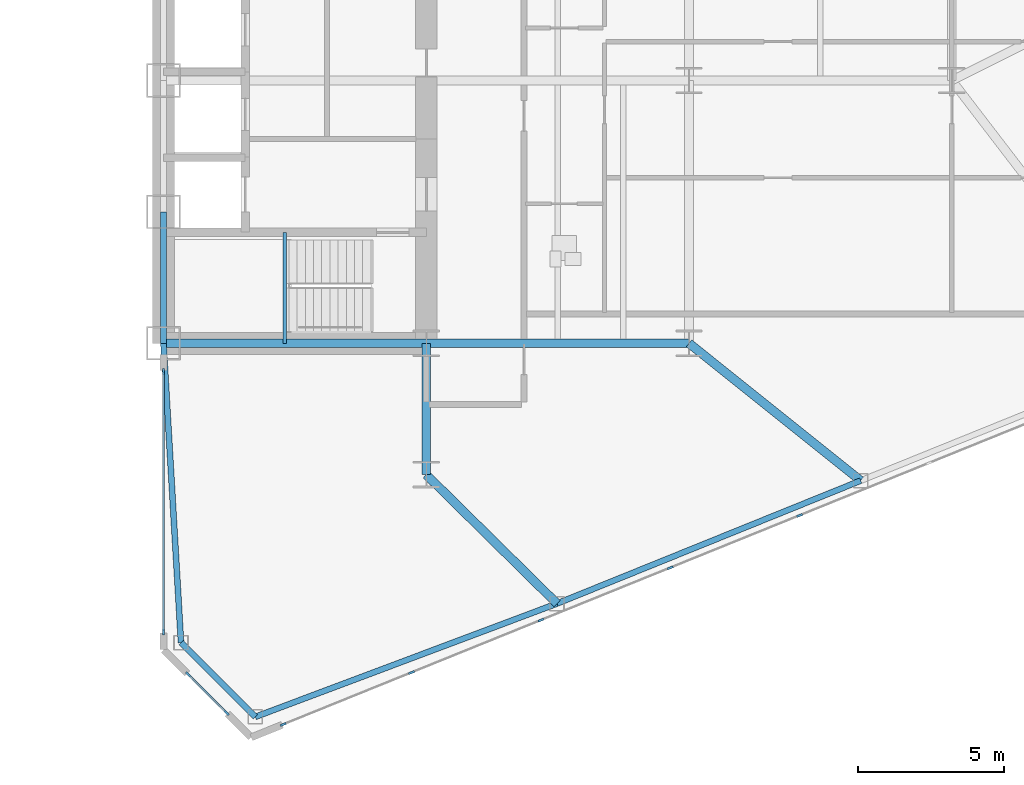
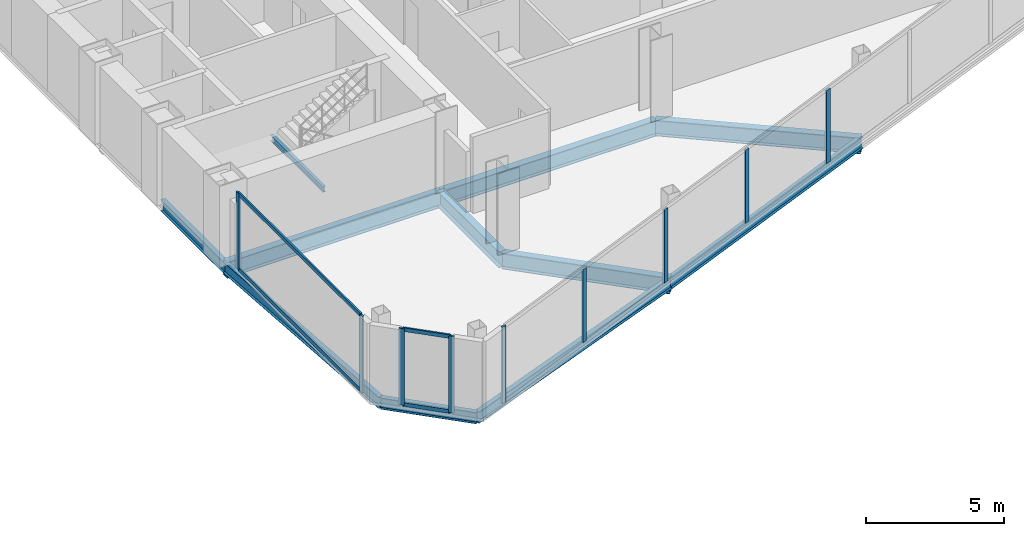
# One storey, part 9 of 25: 13 members, 11 beams, 3 elements without a shape of their own.
"""IFC4 building model written with IfcOpenShell, lengths in metres."""

import ifcopenshell
import ifcopenshell.guid

model = None  # the IFC model being written
_history = None  # IfcOwnerHistory: only IFC2X3 demands one
_inside = {}  # id of a spatial element -> (the spatial element, [elements in it])
_under = {}  # id of a project, library or spatial element -> (it, [spatial elements below it])
_declared = {}  # id of a project -> (the project, [libraries it declares])
_typed = {}  # id of a type object -> (the type object, [elements of that type])
_made_of = {}  # id of a material, layer set ... -> (it, [elements and type objects made of it])


def new_model(schema):
    """Start an empty IFC model of exactly this schema.

    Asked for "IFC4X3", IfcOpenShell would pick the latest addendum, in which some entities
    have other attributes; the version numbers below select the first issue.
    IFC2X3 requires an IfcOwnerHistory on every rooted entity: one is made here for all.
    """
    global model, _history
    if schema == "IFC4X3":
        model = ifcopenshell.file(schema_version=(4, 3, 0, 0))
    else:
        model = ifcopenshell.file(schema=schema)
    _inside.clear()
    _under.clear()
    _declared.clear()
    _typed.clear()
    _made_of.clear()
    _history = None
    if model.schema == "IFC2X3":
        org = make("IfcOrganization", Name="unknown")
        user = make(
            "IfcPersonAndOrganization",
            ThePerson=make("IfcPerson", FamilyName="unknown"),
            TheOrganization=org,
        )
        app = make(
            "IfcApplication",
            ApplicationDeveloper=org,
            Version="unknown",
            ApplicationFullName="unknown",
            ApplicationIdentifier="unknown",
        )
        _history = make(
            "IfcOwnerHistory",
            OwningUser=user,
            OwningApplication=app,
            ChangeAction="ADDED",
            CreationDate=0,
        )
    return model


def make(cls, **values):
    """One entity of the class cls with the attributes given. An attribute that is None is left unset."""
    return model.create_entity(
        cls, **{name: value for name, value in values.items() if value is not None}
    )


def rooted(cls, **values):
    """An entity with a GlobalId (a new one), such as an element, a storey or a relation."""
    return make(cls, GlobalId=ifcopenshell.guid.new(), OwnerHistory=_history, **values)


def si_unit(unit_type, name, prefix=None):
    """IfcSIUnit, for example si_unit("LENGTHUNIT", "METRE", prefix="MILLI")."""
    return make("IfcSIUnit", UnitType=unit_type, Prefix=prefix, Name=name)


def assignment(units):
    """IfcUnitAssignment: the units of a project."""
    return None if units is None else make("IfcUnitAssignment", Units=units)


def point(xyz):
    """IfcCartesianPoint."""
    return None if xyz is None else make("IfcCartesianPoint", Coordinates=xyz)


def direction(xyz):
    """IfcDirection."""
    return None if xyz is None else make("IfcDirection", DirectionRatios=xyz)


def frame(location, z_axis=None, x_axis=None):
    """IfcAxis2Placement3D, a coordinate frame: its origin and axes. An axis left out is left unset."""
    return make(
        "IfcAxis2Placement3D",
        Location=point(location),
        Axis=direction(z_axis),
        RefDirection=direction(x_axis),
    )


def frame_2d(location, x_axis=None):
    """IfcAxis2Placement2D, a coordinate frame in the plane: its origin and x axis."""
    return make(
        "IfcAxis2Placement2D", Location=point(location), RefDirection=direction(x_axis)
    )


def origin():
    """The frame at (0, 0, 0) with its axes left unset."""
    return frame((0.0, 0.0, 0.0))


def origin_2d():
    """The frame at (0, 0) in the plane with its x axis left unset."""
    return frame_2d((0.0, 0.0))


def place(relative_to, where):
    """IfcLocalPlacement: puts the frame where relative to a parent placement (None: the world)."""
    return make(
        "IfcLocalPlacement", PlacementRelTo=relative_to, RelativePlacement=where
    )


def context(
    kind, dimensions, precision=None, world=None, true_north=None, identifier=None
):
    """IfcGeometricRepresentationContext, for example the 3D "Model" context."""
    return make(
        "IfcGeometricRepresentationContext",
        ContextIdentifier=identifier,
        ContextType=kind,
        CoordinateSpaceDimension=dimensions,
        Precision=precision,
        WorldCoordinateSystem=world,
        TrueNorth=true_north,
    )


def subcontext(parent, identifier, kind, view, scale=None):
    """IfcGeometricRepresentationSubContext, for example "Body" below "Model"."""
    return make(
        "IfcGeometricRepresentationSubContext",
        ContextIdentifier=identifier,
        ContextType=kind,
        ParentContext=parent,
        TargetScale=scale,
        TargetView=view,
    )


def project(units=None, contexts=None):
    """IfcProject with its units and contexts."""
    return rooted(
        "IfcProject",
        Name="project",
        RepresentationContexts=contexts,
        UnitsInContext=assignment(units),
    )


def spatial(cls, under=None, at=None, **own):
    """A site, building, storey or space (cls), placed at a placement, below another one or the project."""
    s = rooted(cls, ObjectPlacement=at, **own)
    if under is not None:
        _under.setdefault(under.id(), (under, []))[1].append(s)
    return s


def profile(cls, at=None, kind="AREA", **sizes):
    """A parametric profile (cls). Its sizes go by their IFC names, for example OverallWidth=200.0."""
    return make(cls, ProfileType=kind, Position=at, **sizes)


def rectangle(**sizes):
    """IfcRectangleProfileDef."""
    return profile("IfcRectangleProfileDef", **sizes)


def i_section(**sizes):
    """IfcIShapeProfileDef."""
    return profile("IfcIShapeProfileDef", **sizes)


def extrude(swept, where, along, depth):
    """IfcExtrudedAreaSolid: the profile swept, set in the frame where, extruded along a direction by depth."""
    return make(
        "IfcExtrudedAreaSolid",
        SweptArea=swept,
        Position=where,
        ExtrudedDirection=direction(along),
        Depth=depth,
    )


def shape(context_of_items, identifier, shape_type, items):
    """IfcShapeRepresentation: the items that make up one representation, for example the "Body"."""
    return make(
        "IfcShapeRepresentation",
        ContextOfItems=context_of_items,
        RepresentationIdentifier=identifier,
        RepresentationType=shape_type,
        Items=items,
    )


def source(mapping_origin, context_of_items, identifier, shape_type, items):
    """IfcRepresentationMap: a shape defined once, which mapped items show again and again."""
    return make(
        "IfcRepresentationMap",
        MappingOrigin=mapping_origin,
        MappedRepresentation=shape(context_of_items, identifier, shape_type, items),
    )


def transform(
    local_origin,
    x_axis=None,
    y_axis=None,
    z_axis=None,
    scale=None,
    scale2=None,
    scale3=None,
    uniform=True,
):
    """IfcCartesianTransformationOperator3D, or its non-uniform kind. x_axis, y_axis, z_axis: its Axis1, 2, 3."""
    if uniform:
        return make(
            "IfcCartesianTransformationOperator3D",
            Axis1=direction(x_axis),
            Axis2=direction(y_axis),
            LocalOrigin=point(local_origin),
            Scale=scale,
            Axis3=direction(z_axis),
        )
    return make(
        "IfcCartesianTransformationOperator3DnonUniform",
        Axis1=direction(x_axis),
        Axis2=direction(y_axis),
        LocalOrigin=point(local_origin),
        Scale=scale,
        Axis3=direction(z_axis),
        Scale2=scale2,
        Scale3=scale3,
    )


def mapped(mapping_source, mapping_target):
    """IfcMappedItem: shows the shape of a source again, moved by a transform."""
    return make(
        "IfcMappedItem", MappingSource=mapping_source, MappingTarget=mapping_target
    )


def material(Name=None, Category=None):
    """IfcMaterial."""
    return make("IfcMaterial", Name=Name, Category=Category)


def layer(
    of_material, thickness, ventilated=None, Name=None, Category=None, Priority=None
):
    """IfcMaterialLayer: one layer of a wall or slab, of a material (None: an air gap)."""
    return make(
        "IfcMaterialLayer",
        Material=of_material,
        LayerThickness=thickness,
        IsVentilated=ventilated,
        Name=Name,
        Category=Category,
        Priority=Priority,
    )


def layer_set(layers, Name=None):
    """IfcMaterialLayerSet."""
    return make("IfcMaterialLayerSet", MaterialLayers=layers, LayerSetName=Name)


def material_profile(
    of_material, cross_section, Name=None, Category=None, Priority=None
):
    """IfcMaterialProfile: a cross section and its material."""
    return make(
        "IfcMaterialProfile",
        Name=Name,
        Material=of_material,
        Profile=cross_section,
        Priority=Priority,
        Category=Category,
    )


def profile_set(profiles, Name=None, composite=None):
    """IfcMaterialProfileSet."""
    return make(
        "IfcMaterialProfileSet",
        Name=Name,
        MaterialProfiles=profiles,
        CompositeProfile=composite,
    )


def made_of(thing, what):
    """Note that an element or type object is made of a material, layer set ...; save() writes the relation."""
    if what is not None:
        _made_of.setdefault(what.id(), (what, []))[1].append(thing)
    return thing


def type_object(cls, material=None, **own):
    """A type object (cls), such as IfcWallType, which elements share."""
    return made_of(rooted(cls, **own), material)


def type_shapes(of_type, sources):
    """Give a type object the sources (RepresentationMaps) that its elements show as mapped items."""
    of_type.RepresentationMaps = sources


def element(
    cls,
    number,
    at=None,
    inside=None,
    cuts=None,
    type_object=None,
    material=None,
    context=None,
    identifier="Body",
    shape_type=None,
    held_by="IfcProductDefinitionShape",
    body=None,
    shapes=None,
    **own,
):
    """One element of the class cls, such as IfcWall. Its Tag is "e" and its number.

    at: its placement. inside: the storey or other place that contains it. cuts: it is an
    opening in that element (IfcRelVoidsElement). A single representation is given by context,
    identifier, shape_type and body (its items); several are given by shapes. held_by: the class
    of the entity that holds the representations. save() writes the other relations.
    """
    e = rooted(cls, Tag="e%d" % number, ObjectPlacement=at, **own)
    if body is not None:
        shapes = [shape(context, identifier, shape_type, body)]
    if shapes is not None:
        e.Representation = make(held_by, Representations=shapes)
    if inside is not None:
        _inside.setdefault(inside.id(), (inside, []))[1].append(e)
    if cuts is not None:
        rooted(
            "IfcRelVoidsElement", RelatingBuildingElement=cuts, RelatedOpeningElement=e
        )
    if type_object is not None:
        _typed.setdefault(type_object.id(), (type_object, []))[1].append(e)
    return made_of(e, material)


def aggregate(whole, parts):
    """IfcRelAggregates: a whole, such as a stair, and the parts it consists of."""
    return rooted("IfcRelAggregates", RelatingObject=whole, RelatedObjects=parts)


def save(model, path):
    """Write the relations noted so far, then the file.

    IfcRelAggregates (storeys below a building ...), IfcRelContainedInSpatialStructure (elements
    in a storey), IfcRelDefinesByType, IfcRelAssociatesMaterial and IfcRelDeclares: one each for
    every whole, place, type object, material and project.
    """
    for whole, parts in _under.values():
        aggregate(whole, parts)
    for where, things in _inside.values():
        rooted(
            "IfcRelContainedInSpatialStructure",
            RelatedElements=things,
            RelatingStructure=where,
        )
    for kind, things in _typed.values():
        rooted("IfcRelDefinesByType", RelatedObjects=things, RelatingType=kind)
    for what, things in _made_of.values():
        rooted("IfcRelAssociatesMaterial", RelatedObjects=things, RelatingMaterial=what)
    for by, libraries in _declared.values():
        rooted("IfcRelDeclares", RelatingContext=by, RelatedDefinitions=libraries)
    model.write(path)


model = new_model("IFC4")

# Units and contexts
model_context = context("Model", 3, precision=1e-05, world=origin(), true_north=direction((0.0, 1.0)))
body_context = subcontext(model_context, "Body", "Model", "MODEL_VIEW")
ifc_project = project(units=[si_unit("LENGTHUNIT", "METRE"), si_unit("AREAUNIT", "SQUARE_METRE"), si_unit("VOLUMEUNIT", "CUBIC_METRE"), si_unit("PLANEANGLEUNIT", "RADIAN"), si_unit("MASSUNIT", "GRAM", prefix="KILO")], contexts=[model_context])

# Site, building, storey
site_placement = place(None, origin())
site = spatial("IfcSite", under=ifc_project, at=site_placement, CompositionType="ELEMENT")
building_placement = place(site_placement, origin())
building = spatial("IfcBuilding", under=site, at=building_placement, Name="Seokmaru Belvedere", CompositionType="ELEMENT")
storey_placement = place(building_placement, frame((0.0, 0.0, 44.10009765625)))
storey = spatial("IfcBuildingStorey", under=building, at=storey_placement, Name="L11", CompositionType="ELEMENT", Elevation=44.10009765625)

# Beams
ifc_material_1 = material(Name="Steel SM355 (355 MPa)", Category="steel")
ifc_material_profile_1 = material_profile(ifc_material_1, i_section(OverallWidth=0.199951171875, OverallDepth=0.5, WebThickness=0.010009765625, FlangeThickness=0.01611328125, at=origin_2d()), Name="H-500x200x10x16")
ifc_profile_set_1 = profile_set([ifc_material_profile_1], Name="Steel SM355 (355 MPa)")
beam_type_1 = type_object("IfcBeamType", Name="Perimeter Spandrel Beam H-500", PredefinedType="SPANDREL", material=ifc_profile_set_1)
shared_shape_1 = source(origin(), body_context, "Body", "SweptSolid", [
    extrude(i_section(OverallWidth=0.199951171875, OverallDepth=0.5, WebThickness=0.010009765625, FlangeThickness=0.01611328125, at=origin_2d()), origin(), (0.0, 0.0, 1.0), 4.5),
])
beam_1_placement = place(storey_placement, frame((27.5, -13.5, -0.47021484375), z_axis=(0.0, 1.0, 0.0), x_axis=(-1.0, 0.0, 0.0)))
element("IfcBeam", 1, at=beam_1_placement, inside=storey, type_object=beam_type_1, Name="L11 E Portal Spine Spandrel 1", PredefinedType="SPANDREL", context=body_context, shape_type="MappedRepresentation", body=[
    mapped(shared_shape_1, transform((0.0, 0.0, 0.0), scale=1.0)),
])
ifc_material_profile_2 = material_profile(ifc_material_1, i_section(OverallWidth=0.300048828125, OverallDepth=0.699951171875, WebThickness=0.012939453125, FlangeThickness=0.02392578125, at=origin_2d()), Name="H-700x300x13x24")
ifc_profile_set_2 = profile_set([ifc_material_profile_2], Name="Steel SM355 (355 MPa)")
beam_type_2 = type_object("IfcBeamType", Name="Primary Floor Girder H-700", PredefinedType="BEAM", material=ifc_profile_set_2)
shared_shape_2 = source(origin(), body_context, "Body", "SweptSolid", [
    extrude(i_section(OverallWidth=0.300048828125, OverallDepth=0.699951171875, WebThickness=0.012939453125, FlangeThickness=0.02392578125, at=origin_2d()), origin(), (0.0, 0.0, 1.0), 4.5),
])
beam_2_placement = place(storey_placement, frame((36.5, -18.0, -0.570068359375), z_axis=(0.0, 1.0, 0.0), x_axis=(-1.0, 0.0, 0.0)))
element("IfcBeam", 2, at=beam_2_placement, inside=storey, type_object=beam_type_2, Name="L11 E Core Shoulder Girder S", PredefinedType="BEAM", context=body_context, shape_type="MappedRepresentation", body=[
    mapped(shared_shape_2, transform((0.0, 0.0, 0.0), scale=1.0)),
])
shared_shape_3 = source(origin(), body_context, "Body", "SweptSolid", [
    extrude(i_section(OverallWidth=0.300048828125, OverallDepth=0.699951171875, WebThickness=0.012939453125, FlangeThickness=0.02392578125, at=origin_2d()), origin(), (0.0, 0.0, 1.0), 9.0),
])
for number, where, z_axis, x_axis, name in (
    (3, (27.5, -13.5, -0.570068359375), (1.0, 0.0, 0.0), (0.0, 1.0, 0.0), "L11 E Core Tie Girder 1"),
    (4, (36.5, -13.5, -0.570068359375), (1.0, 0.0, 0.0), (0.0, 1.0, 0.0), "L11 E Wing Primary Girder 1"),
):
    element("IfcBeam", number, at=place(storey_placement, frame(where, z_axis=z_axis, x_axis=x_axis)), inside=storey, type_object=beam_type_2, Name=name, PredefinedType="BEAM", context=body_context, shape_type="MappedRepresentation", body=[
        mapped(shared_shape_3, transform((0.0, 0.0, 0.0), scale=1.0)),
    ])
shared_shape_4 = source(origin(), body_context, "Body", "SweptSolid", [
    extrude(i_section(OverallWidth=0.199951171875, OverallDepth=0.5, WebThickness=0.010009765625, FlangeThickness=0.01611328125, at=origin_2d()), origin(), (0.0, 0.0, 1.0), 11.03857421875),
])
beam_3_placement = place(storey_placement, frame((30.643310546875, -26.294677734375, -0.47021484375), z_axis=(0.936169110734, 0.351549990907, 0.0), x_axis=(-0.351549990907, 0.936169110734, 0.0)))
element("IfcBeam", 5, at=beam_3_placement, inside=storey, type_object=beam_type_1, Name="L11 E Faceted Flank Spandrel S-1", PredefinedType="SPANDREL", context=body_context, shape_type="MappedRepresentation", body=[
    mapped(shared_shape_4, transform((0.0, 0.0, 0.0), scale=1.0)),
])
shared_shape_5 = source(origin(), body_context, "Body", "SweptSolid", [
    extrude(i_section(OverallWidth=0.199951171875, OverallDepth=0.5, WebThickness=0.010009765625, FlangeThickness=0.01611328125, at=origin_2d()), origin(), (0.0, 0.0, 1.0), 11.220703125),
])
beam_4_placement = place(storey_placement, frame((40.977294921875, -22.4140625, -0.47021484375), z_axis=(0.926944290816, 0.375198989503, 0.0), x_axis=(-0.375198989503, 0.926944290816, 0.0)))
element("IfcBeam", 6, at=beam_4_placement, inside=storey, type_object=beam_type_1, Name="L11 E Faceted Flank Spandrel S-2", PredefinedType="SPANDREL", context=body_context, shape_type="MappedRepresentation", body=[
    mapped(shared_shape_5, transform((0.0, 0.0, 0.0), scale=1.0)),
])
shared_shape_6 = source(origin(), body_context, "Body", "SweptSolid", [
    extrude(i_section(OverallWidth=0.199951171875, OverallDepth=0.5, WebThickness=0.010009765625, FlangeThickness=0.01611328125, at=origin_2d()), origin(), (0.0, 0.0, 1.0), 3.5966796875),
])
beam_5_placement = place(storey_placement, frame((30.643310546875, -26.294677734375, -0.47021484375), z_axis=(-0.707106781187, 0.707106781187, 0.0), x_axis=(-0.707106781187, -0.707106781187, 0.0)))
element("IfcBeam", 7, at=beam_5_placement, inside=storey, type_object=beam_type_1, Name="L11 E Shoulder Chamfer Spandrel S", PredefinedType="SPANDREL", context=body_context, shape_type="MappedRepresentation", body=[
    mapped(shared_shape_6, transform((0.0, 0.0, 0.0), scale=1.0)),
])
shared_shape_7 = source(origin(), body_context, "Body", "SweptSolid", [
    extrude(i_section(OverallWidth=0.199951171875, OverallDepth=0.5, WebThickness=0.010009765625, FlangeThickness=0.01611328125, at=origin_2d()), origin(), (0.0, 0.0, 1.0), 10.26904296875),
])
type_shapes(beam_type_1, [shared_shape_1, shared_shape_4, shared_shape_5, shared_shape_6, shared_shape_7])
beam_6_placement = place(storey_placement, frame((28.10009765625, -23.75146484375, -0.47021484375), z_axis=(-0.058437709399, 0.998291056817, 0.0), x_axis=(-0.998291056817, -0.058437709399, 0.0)))
element("IfcBeam", 8, at=beam_6_placement, inside=storey, type_object=beam_type_1, Name="L11 E Shoulder Spine Spandrel S", PredefinedType="SPANDREL", context=body_context, shape_type="MappedRepresentation", body=[
    mapped(shared_shape_7, transform((0.0, 0.0, 0.0), scale=1.0)),
])
shared_shape_8 = source(origin(), body_context, "Body", "SweptSolid", [
    extrude(i_section(OverallWidth=0.300048828125, OverallDepth=0.699951171875, WebThickness=0.012939453125, FlangeThickness=0.02392578125, at=origin_2d()), origin(), (0.0, 0.0, 1.0), 6.287353515625),
])
beam_7_placement = place(storey_placement, frame((40.977294921875, -22.4140625, -0.570068359375), z_axis=(-0.712117485263, 0.702060315915, 0.0), x_axis=(-0.702060315915, -0.712117485263, 0.0)))
element("IfcBeam", 9, at=beam_7_placement, inside=storey, type_object=beam_type_2, Name="L11 E Flank Radial Floor Girder S-1", PredefinedType="BEAM", context=body_context, shape_type="MappedRepresentation", body=[
    mapped(shared_shape_8, transform((0.0, 0.0, 0.0), scale=1.0)),
])
shared_shape_9 = source(origin(), body_context, "Body", "SweptSolid", [
    extrude(i_section(OverallWidth=0.300048828125, OverallDepth=0.699951171875, WebThickness=0.012939453125, FlangeThickness=0.02392578125, at=origin_2d()), origin(), (0.0, 0.0, 1.0), 7.52880859375),
])
type_shapes(beam_type_2, [shared_shape_2, shared_shape_3, shared_shape_8, shared_shape_9])
beam_8_placement = place(storey_placement, frame((51.378173828125, -18.2041015625, -0.570068359375), z_axis=(-0.780767560736, 0.624821587418, 0.0), x_axis=(-0.624821587418, -0.780767560736, 0.0)))
element("IfcBeam", 10, at=beam_8_placement, inside=storey, type_object=beam_type_2, Name="L11 E Flank Radial Floor Girder S-2", PredefinedType="BEAM", context=body_context, shape_type="MappedRepresentation", body=[
    mapped(shared_shape_9, transform((0.0, 0.0, 0.0), scale=1.0)),
])

# Curtain wall, members
ifc_material_2 = material(Name="Bronze Triple Insulating Glass", Category="glass")
ifc_layer = layer(ifc_material_2, 0.2099609375)
ifc_layer_set = layer_set([ifc_layer], Name="Bronze Triple Insulating Glass")
curtain_wall_type = type_object("IfcCurtainWallType", Name="Low-Rise Faceted Crystal Curtain Wall System CW-2", PredefinedType="NOTDEFINED", material=ifc_layer_set)
curtain_wall_1_placement = place(storey_placement, origin())
curtain_wall_1 = element("IfcCurtainWall", 11, at=curtain_wall_1_placement, inside=storey, type_object=curtain_wall_type, Name="L11 Curtain Wall ESP_1", PredefinedType="NOTDEFINED")
ifc_material_3 = material(Name="Anodised Bronze Aluminium", Category="aluminium")
ifc_material_profile_3 = material_profile(ifc_material_3, rectangle(XDim=0.070068359375, YDim=0.1650390625, at=origin_2d()), Name="CW-T-70x165")
ifc_profile_set_3 = profile_set([ifc_material_profile_3], Name="Anodised Bronze Aluminium")
member_type_1 = type_object("IfcMemberType", Name="Bronze Unitised Transom 70x165", PredefinedType="USERDEFINED", material=ifc_profile_set_3)
shared_shape_10 = source(origin(), body_context, "Body", "SweptSolid", [
    extrude(rectangle(XDim=0.070068359375, YDim=0.1650390625, at=origin_2d()), origin(), (0.0, 0.0, 1.0), 8.85009765625),
])
member_1_placement = place(storey_placement, frame((27.5, -14.5048828125, 0.034912109375), z_axis=(0.0, -1.0, 0.0), x_axis=(1.0, 0.0, 0.0)))
member_1 = element("IfcMember", 12, at=member_1_placement, type_object=member_type_1, Name="CW:L11:ESP_1 Continuous Transom 1", ObjectType="TRANSOM", PredefinedType="USERDEFINED", context=body_context, shape_type="MappedRepresentation", body=[
    mapped(shared_shape_10, transform((0.0, 0.0, 0.0), scale=1.0)),
])
member_2_placement = place(storey_placement, frame((27.5, -14.5048828125, 3.344970703125), z_axis=(0.0, -1.0, 0.0), x_axis=(1.0, 0.0, 0.0)))
member_2 = element("IfcMember", 13, at=member_2_placement, type_object=member_type_1, Name="CW:L11:ESP_1 Continuous Transom 2", ObjectType="TRANSOM", PredefinedType="USERDEFINED", context=body_context, shape_type="MappedRepresentation", body=[
    mapped(shared_shape_10, transform((0.0, 0.0, 0.0), scale=1.0)),
])

curtain_wall_2_placement = place(storey_placement, origin())
curtain_wall_2 = element("IfcCurtainWall", 14, at=curtain_wall_2_placement, inside=storey, type_object=curtain_wall_type, Name="L11 Curtain Wall EF6", PredefinedType="NOTDEFINED")
shared_shape_11 = source(origin(), body_context, "Body", "SweptSolid", [
    extrude(rectangle(XDim=0.070068359375, YDim=0.1650390625, at=origin_2d()), origin(), (0.0, 0.0, 1.0), 1.792724609375),
])
type_shapes(member_type_1, [shared_shape_10, shared_shape_11])
member_3_placement = place(storey_placement, frame((28.3662109375, -24.8662109375, 0.034912109375), z_axis=(0.707106781187, -0.707106781187, 0.0), x_axis=(0.707106781187, 0.707106781187, 0.0)))
member_3 = element("IfcMember", 15, at=member_3_placement, type_object=member_type_1, Name="CW:L11:EF6 Continuous Transom 1", ObjectType="TRANSOM", PredefinedType="USERDEFINED", context=body_context, shape_type="MappedRepresentation", body=[
    mapped(shared_shape_11, transform((0.0, 0.0, 0.0), scale=1.0)),
])
member_4_placement = place(storey_placement, frame((28.3662109375, -24.8662109375, 3.344970703125), z_axis=(0.707106781187, -0.707106781187, 0.0), x_axis=(0.707106781187, 0.707106781187, 0.0)))
member_4 = element("IfcMember", 16, at=member_4_placement, type_object=member_type_1, Name="CW:L11:EF6 Continuous Transom 2", ObjectType="TRANSOM", PredefinedType="USERDEFINED", context=body_context, shape_type="MappedRepresentation", body=[
    mapped(shared_shape_11, transform((0.0, 0.0, 0.0), scale=1.0)),
])

curtain_wall_3_placement = place(storey_placement, origin())
curtain_wall_3 = element("IfcCurtainWall", 17, at=curtain_wall_3_placement, inside=storey, type_object=curtain_wall_type, Name="L11 Curtain Wall EF1", PredefinedType="NOTDEFINED")
ifc_material_profile_4 = material_profile(ifc_material_3, rectangle(XDim=0.074951171875, YDim=0.2099609375, at=origin_2d()), Name="CW-M-75x210")
ifc_profile_set_4 = profile_set([ifc_material_profile_4], Name="Anodised Bronze Aluminium")
member_type_2 = type_object("IfcMemberType", Name="Bronze Unitised Mullion 75x210", PredefinedType="MULLION", material=ifc_profile_set_4)
shared_shape_12 = source(origin(), body_context, "Body", "SweptSolid", [
    extrude(rectangle(XDim=0.074951171875, YDim=0.2099609375, at=origin_2d()), origin(), (0.0, 0.0, 1.0), 3.239990234375),
])
member_5_placement = place(storey_placement, frame((35.995849609375, -24.775390625, 0.06982421875), z_axis=(0.0, 0.0, 1.0), x_axis=(-0.375192321888, 0.926946989637, 0.0)))
member_5 = element("IfcMember", 18, at=member_5_placement, type_object=member_type_2, Name="CW:L11:EF1 Mullion 2", PredefinedType="MULLION", context=body_context, shape_type="MappedRepresentation", body=[
    mapped(shared_shape_12, transform((0.0, 0.0, 0.0), scale=1.0)),
])
member_6_placement = place(storey_placement, frame((40.425537109375, -22.982421875, 0.06982421875), z_axis=(0.0, 0.0, 1.0), x_axis=(-0.375192321888, 0.926946989637, 0.0)))
member_6 = element("IfcMember", 19, at=member_6_placement, type_object=member_type_2, Name="CW:L11:EF1 Mullion 3", PredefinedType="MULLION", context=body_context, shape_type="MappedRepresentation", body=[
    mapped(shared_shape_12, transform((0.0, 0.0, 0.0), scale=1.0)),
])
member_7_placement = place(storey_placement, frame((44.855224609375, -21.189453125, 0.06982421875), z_axis=(0.0, 0.0, 1.0), x_axis=(-0.375192321888, 0.926946989637, 0.0)))
member_7 = element("IfcMember", 20, at=member_7_placement, type_object=member_type_2, Name="CW:L11:EF1 Mullion 4", PredefinedType="MULLION", context=body_context, shape_type="MappedRepresentation", body=[
    mapped(shared_shape_12, transform((0.0, 0.0, 0.0), scale=1.0)),
])
member_8_placement = place(storey_placement, frame((49.28515625, -19.396484375, 0.06982421875), z_axis=(0.0, 0.0, 1.0), x_axis=(-0.375192321888, 0.926946989637, 0.0)))
member_8 = element("IfcMember", 21, at=member_8_placement, type_object=member_type_2, Name="CW:L11:EF1 Mullion 5", PredefinedType="MULLION", context=body_context, shape_type="MappedRepresentation", body=[
    mapped(shared_shape_12, transform((0.0, 0.0, 0.0), scale=1.0)),
])
shared_shape_13 = source(origin(), body_context, "Body", "SweptSolid", [
    extrude(rectangle(XDim=0.074951171875, YDim=0.2099609375, at=origin_2d()), origin(), (0.0, 0.0, 1.0), 3.3798828125),
])
type_shapes(member_type_2, [shared_shape_12, shared_shape_13])
member_9_placement = place(storey_placement, frame((31.600830078125, -26.554443359375, 0.0), z_axis=(0.0, 0.0, 1.0), x_axis=(-0.375192321888, 0.926946989637, 0.0)))
member_9 = element("IfcMember", 22, at=member_9_placement, type_object=member_type_2, Name="CW:L11:EF1 Mullion 1", PredefinedType="MULLION", context=body_context, shape_type="MappedRepresentation", body=[
    mapped(shared_shape_13, transform((0.0, 0.0, 0.0), scale=1.0)),
])
aggregate(curtain_wall_3, [member_9, member_5, member_6, member_7, member_8])

# Member
member_10_placement = place(storey_placement, frame((27.5, -14.467529296875, 0.0), z_axis=(0.0, 0.0, 1.0), x_axis=(1.0, 0.0, 0.0)))
member_10 = element("IfcMember", 23, at=member_10_placement, type_object=member_type_2, Name="CW:L11:ESP_1 Mullion 1", PredefinedType="MULLION", context=body_context, shape_type="MappedRepresentation", body=[
    mapped(shared_shape_13, transform((0.0, 0.0, 0.0), scale=1.0)),
])

member_11_placement = place(storey_placement, frame((27.5, -23.392578125, 0.0), z_axis=(0.0, 0.0, 1.0), x_axis=(1.0, 0.0, 0.0)))
member_11 = element("IfcMember", 24, at=member_11_placement, type_object=member_type_2, Name="CW:L11:ESP_1 Mullion 2", PredefinedType="MULLION", context=body_context, shape_type="MappedRepresentation", body=[
    mapped(shared_shape_13, transform((0.0, 0.0, 0.0), scale=1.0)),
])

aggregate(curtain_wall_1, [member_10, member_11, member_1, member_2])

member_12_placement = place(storey_placement, frame((28.339599609375, -24.839599609375, 0.0), z_axis=(0.0, 0.0, 1.0), x_axis=(0.707106781187, 0.707106781187, 0.0)))
member_12 = element("IfcMember", 25, at=member_12_placement, type_object=member_type_2, Name="CW:L11:EF6 Mullion 1", PredefinedType="MULLION", context=body_context, shape_type="MappedRepresentation", body=[
    mapped(shared_shape_13, transform((0.0, 0.0, 0.0), scale=1.0)),
])

member_13_placement = place(storey_placement, frame((29.660400390625, -26.160400390625, 0.0), z_axis=(0.0, 0.0, 1.0), x_axis=(0.707106781187, 0.707106781187, 0.0)))
member_13 = element("IfcMember", 26, at=member_13_placement, type_object=member_type_2, Name="CW:L11:EF6 Mullion 2", PredefinedType="MULLION", context=body_context, shape_type="MappedRepresentation", body=[
    mapped(shared_shape_13, transform((0.0, 0.0, 0.0), scale=1.0)),
])

aggregate(curtain_wall_2, [member_12, member_13, member_3, member_4])

# Beam
ifc_material_profile_5 = material_profile(ifc_material_1, i_section(OverallWidth=0.125, OverallDepth=0.25, WebThickness=0.006103515625, FlangeThickness=0.009033203125, at=origin_2d()), Name="H-250x125x6x9")
ifc_profile_set_5 = profile_set([ifc_material_profile_5], Name="Steel SM355 (355 MPa)")
beam_type_3 = type_object("IfcBeamType", Name="Stair Mid-Landing Support Beam H-250", PredefinedType="JOIST", material=ifc_profile_set_5)
shared_shape_14 = source(origin(), body_context, "Body", "SweptSolid", [
    extrude(i_section(OverallWidth=0.125, OverallDepth=0.25, WebThickness=0.006103515625, FlangeThickness=0.009033203125, at=origin_2d()), origin(), (0.0, 0.0, 1.0), 3.800048828125),
])
type_shapes(beam_type_3, [shared_shape_14])
beam_9_placement = place(storey_placement, frame((31.64990234375, -13.5, 1.474853515625), z_axis=(0.0, 1.0, 0.0), x_axis=(-1.0, 0.0, 0.0)))
element("IfcBeam", 27, at=beam_9_placement, inside=storey, type_object=beam_type_3, Name="L11 Stair ST-E1 Mid-Landing Support Beam 1", PredefinedType="JOIST", context=body_context, shape_type="MappedRepresentation", body=[
    mapped(shared_shape_14, transform((0.0, 0.0, 0.0), scale=1.0)),
])

save(model, "model.ifc")
